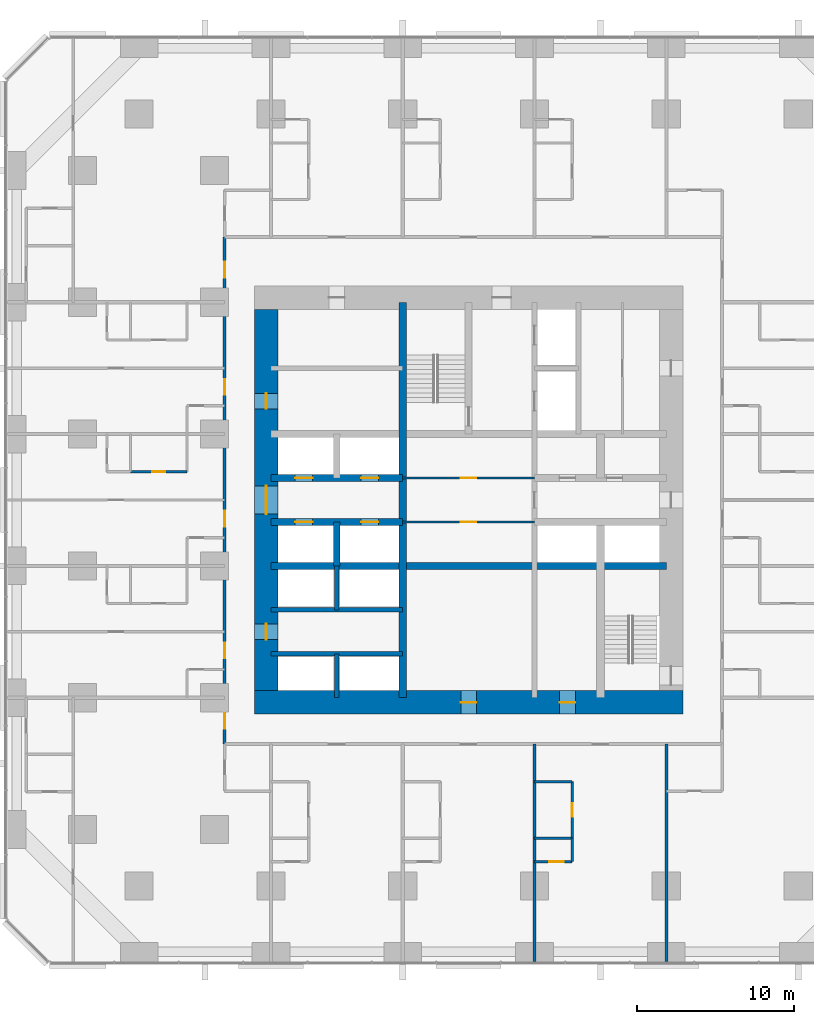
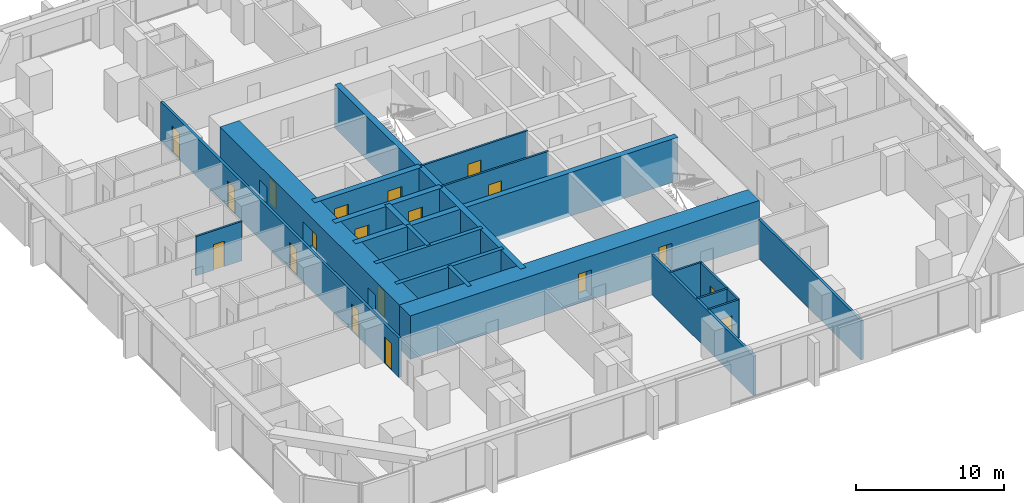
# One storey, part 12 of 17: 22 walls, 19 doors, 19 openings.
"""IFC4 building model written with IfcOpenShell, lengths in metres."""

from ifc_helpers import new_model, si_unit, direction, frame, frame_2d, origin, place, context, subcontext, project, spatial, rectangle, extrude, material, layer, layer_set, type_object, element, fill, save


model = new_model("IFC4")

# Units and contexts
model_context = context("Model", 3, precision=1e-05, world=origin(), true_north=direction((0.0, 1.0)))
body_context = subcontext(model_context, "Body", "Model", "MODEL_VIEW")
ifc_project = project(units=[si_unit("LENGTHUNIT", "METRE"), si_unit("AREAUNIT", "SQUARE_METRE"), si_unit("VOLUMEUNIT", "CUBIC_METRE"), si_unit("PLANEANGLEUNIT", "RADIAN"), si_unit("MASSUNIT", "GRAM", prefix="KILO")], contexts=[model_context])

# Site, building, storey
site_placement = place(None, origin())
site = spatial("IfcSite", under=ifc_project, at=site_placement, CompositionType="ELEMENT")
building_placement = place(site_placement, origin())
building = spatial("IfcBuilding", under=site, at=building_placement, Name="Dunama Terrace Hotel", CompositionType="ELEMENT")
storey_placement = place(building_placement, frame((0.0, 0.0, 55.800048828125)))
storey = spatial("IfcBuildingStorey", under=building, at=storey_placement, Name="L13", CompositionType="ELEMENT", Elevation=55.800048828125)

# Wall, opening, door
ifc_material_1 = material(Name="Gypsum board partition", Category="masonry")
ifc_layer_1 = layer(ifc_material_1, 0.14990234375)
ifc_layer_set_1 = layer_set([ifc_layer_1], Name="Bathroom partition 150")
wall_type_1 = type_object("IfcWallType", Name="Bathroom partition 150", PredefinedType="PARTITIONING", material=ifc_layer_set_1)
wall_1_placement = place(storey_placement, frame((36.0, 7.85009765625, 0.0), z_axis=(0.0, 0.0, 1.0), x_axis=(0.0, 1.0, 0.0)))
wall_1 = element("IfcWall", 1, at=wall_1_placement, inside=storey, type_object=wall_type_1, Name="Bathroom partition 150 L13", PredefinedType="PARTITIONING", context=body_context, shape_type="SweptSolid", body=[
    extrude(rectangle(XDim=3.599853515625, YDim=0.14990234375, at=frame_2d((1.7998046875, 0.0))), origin(), (0.0, 0.0, 1.0), 3.25),
])
opening_1_placement = place(wall_1_placement, frame((1.375, 0.0, 0.0)))
opening_1 = element("IfcOpeningElement", 2, at=opening_1_placement, cuts=wall_1, Name="Opening L13-14-016", PredefinedType="OPENING", context=body_context, shape_type="SweptSolid", body=[
    extrude(rectangle(XDim=0.85009765625, YDim=2.10009765625, at=frame_2d((0.425048828125, 1.050048828125))), frame((0.0, 0.0849609375, 0.0), z_axis=(0.0, -1.0, 0.0), x_axis=(1.0, 0.0, 0.0)), (0.0, 0.0, 1.0), 0.169921875),
])
ifc_material_2 = material(Name="Timber door with steel frame", Category="steel")
door_type_1 = type_object("IfcDoorType", Name="Bathroom door 850", OperationType="SINGLE_SWING_LEFT", PredefinedType="DOOR", material=ifc_material_2)
door_1_placement = place(opening_1_placement, origin())
door_1 = element("IfcDoor", 3, at=door_1_placement, inside=storey, type_object=door_type_1, Name="Door to en-suite bathroom L13-14-016, type D2", OperationType="SINGLE_SWING_LEFT", OverallHeight=2.10009765625, OverallWidth=0.85009765625, PredefinedType="DOOR", context=body_context, shape_type="SweptSolid", body=[
    extrude(rectangle(XDim=0.85009765625, YDim=2.10009765625, at=frame_2d((0.425048828125, 1.050048828125))), frame((0.0, 0.02490234375, 0.0), z_axis=(0.0, -1.0, 0.0), x_axis=(1.0, 0.0, 0.0)), (0.0, 0.0, 1.0), 0.050048828125),
])
fill(opening_1, door_1)

# Wall
wall_2_placement = place(storey_placement, frame((33.60009765625, 11.449951171875, 0.0), z_axis=(0.0, 0.0, 1.0), x_axis=(1.0, 0.0, 0.0)))
element("IfcWall", 4, at=wall_2_placement, inside=storey, type_object=wall_type_1, Name="Bathroom partition 150 L13", PredefinedType="PARTITIONING", context=body_context, shape_type="SweptSolid", body=[
    extrude(rectangle(XDim=2.39990234375, YDim=0.14990234375, at=frame_2d((1.199951171875, 0.0))), origin(), (0.0, 0.0, 1.0), 3.25),
])

# Wall, opening, door
wall_3_placement = place(storey_placement, frame((7.85009765625, 31.199951171875, 0.0), z_axis=(0.0, 0.0, 1.0), x_axis=(1.0, 0.0, 0.0)))
wall_3 = element("IfcWall", 5, at=wall_3_placement, inside=storey, type_object=wall_type_1, Name="Bathroom partition 150 L13", PredefinedType="PARTITIONING", context=body_context, shape_type="SweptSolid", body=[
    extrude(rectangle(XDim=3.599853515625, YDim=0.14990234375, at=frame_2d((1.7998046875, 0.0))), origin(), (0.0, 0.0, 1.0), 3.25),
])
opening_2_placement = place(wall_3_placement, frame((1.375, 0.0, 0.0)))
opening_2 = element("IfcOpeningElement", 6, at=opening_2_placement, cuts=wall_3, Name="Opening L13-14-050", PredefinedType="OPENING", context=body_context, shape_type="SweptSolid", body=[
    extrude(rectangle(XDim=0.85009765625, YDim=2.10009765625, at=frame_2d((0.425048828125, 1.050048828125))), frame((0.0, 0.0849609375, 0.0), z_axis=(0.0, -1.0, 0.0), x_axis=(1.0, 0.0, 0.0)), (0.0, 0.0, 1.0), 0.169921875),
])
door_2_placement = place(opening_2_placement, origin())
door_2 = element("IfcDoor", 7, at=door_2_placement, inside=storey, type_object=door_type_1, Name="Door to en-suite bathroom L13-14-050, type D2", OperationType="SINGLE_SWING_LEFT", OverallHeight=2.10009765625, OverallWidth=0.85009765625, PredefinedType="DOOR", context=body_context, shape_type="SweptSolid", body=[
    extrude(rectangle(XDim=0.85009765625, YDim=2.10009765625, at=frame_2d((0.425048828125, 1.050048828125))), frame((0.0, 0.02490234375, 0.0), z_axis=(0.0, -1.0, 0.0), x_axis=(1.0, 0.0, 0.0)), (0.0, 0.0, 1.0), 0.050048828125),
])
fill(opening_2, door_2)

# Walls
ifc_material_3 = material(Name="Concrete C50/60", Category="concrete")
ifc_layer_2 = layer(ifc_material_3, 0.300048828125)
ifc_layer_set_2 = layer_set([ifc_layer_2], Name="Core inner wall 300")
wall_type_2 = type_object("IfcWallType", Name="Core inner wall 300", PredefinedType="SHEAR", material=ifc_layer_set_2)
for number, where, z_axis, x_axis, name in (
    (8, (21.0, 16.800048828125, -0.35009765625), (0.0, 0.0, 1.0), (0.0, 1.0, 0.0), "Core inner wall 300 L13"),
    (9, (21.0, 22.39990234375, -0.35009765625), (0.0, 0.0, 1.0), (0.0, 1.0, 0.0), "Core inner wall 300 L13"),
):
    element("IfcWall", number, at=place(storey_placement, frame(where, z_axis=z_axis, x_axis=x_axis)), inside=storey, type_object=wall_type_2, Name=name, PredefinedType="SHEAR", context=body_context, shape_type="SweptSolid", body=[
        extrude(rectangle(XDim=2.800048828125, YDim=0.300048828125, at=frame_2d((1.39990234375, 0.0))), origin(), (0.0, 0.0, 1.0), 3.60009765625),
    ])
for number, where, z_axis, x_axis, name in (
    (10, (16.800048828125, 19.60009765625, -0.35009765625), (0.0, 0.0, 1.0), (1.0, 0.0, 0.0), "Core inner wall 300 L13"),
    (11, (16.800048828125, 22.39990234375, -0.35009765625), (0.0, 0.0, 1.0), (1.0, 0.0, 0.0), "Core inner wall 300 L13"),
):
    element("IfcWall", number, at=place(storey_placement, frame(where, z_axis=z_axis, x_axis=x_axis)), inside=storey, type_object=wall_type_2, Name=name, PredefinedType="SHEAR", context=body_context, shape_type="SweptSolid", body=[
        extrude(rectangle(XDim=8.39990234375, YDim=0.300048828125, at=frame_2d((4.199951171875, 0.0))), origin(), (0.0, 0.0, 1.0), 3.60009765625),
    ])
ifc_material_4 = material(Name="Concrete C50/60", Category="concrete")
ifc_layer_3 = layer(ifc_material_4, 0.39990234375)
ifc_layer_set_3 = layer_set([ifc_layer_3], Name="Core inner wall 400")
wall_type_3 = type_object("IfcWallType", Name="Core inner wall 400", PredefinedType="SHEAR", material=ifc_layer_set_3)
wall_4_placement = place(storey_placement, frame((21.0, 25.199951171875, -0.35009765625), z_axis=(0.0, 0.0, 1.0), x_axis=(0.0, 1.0, 0.0)))
element("IfcWall", 12, at=wall_4_placement, inside=storey, type_object=wall_type_3, Name="Core inner wall 400 L13", PredefinedType="SHEAR", context=body_context, shape_type="SweptSolid", body=[
    extrude(rectangle(XDim=2.800048828125, YDim=0.39990234375, at=frame_2d((1.39990234375, 0.0))), origin(), (0.0, 0.0, 1.0), 3.60009765625),
])
ifc_material_5 = material(Name="Concrete C50/60", Category="concrete")
ifc_layer_4 = layer(ifc_material_5, 0.449951171875)
ifc_layer_set_4 = layer_set([ifc_layer_4], Name="Core inner wall 450")
wall_type_4 = type_object("IfcWallType", Name="Core inner wall 450", PredefinedType="SHEAR", material=ifc_layer_set_4)
for number, where, z_axis, x_axis, name in (
    (13, (25.199951171875, 16.800048828125, -0.35009765625), (0.0, 0.0, 1.0), (0.0, 1.0, 0.0), "Core inner wall 450 L13"),
    (14, (16.800048828125, 25.199951171875, -0.35009765625), (0.0, 0.0, 1.0), (1.0, 0.0, 0.0), "Core inner wall 450 L13"),
):
    element("IfcWall", number, at=place(storey_placement, frame(where, z_axis=z_axis, x_axis=x_axis)), inside=storey, type_object=wall_type_4, Name=name, PredefinedType="SHEAR", context=body_context, shape_type="SweptSolid", body=[
        extrude(rectangle(XDim=25.199951171875, YDim=0.449951171875, at=frame_2d((12.60009765625, 0.0))), origin(), (0.0, 0.0, 1.0), 3.60009765625),
    ])

# Wall, openings, doors
wall_5_placement = place(storey_placement, frame((16.800048828125, 28.0, -0.35009765625), z_axis=(0.0, 0.0, 1.0), x_axis=(1.0, 0.0, 0.0)))
wall_5 = element("IfcWall", 15, at=wall_5_placement, inside=storey, type_object=wall_type_4, Name="Core inner wall 450 L13", PredefinedType="SHEAR", context=body_context, shape_type="SweptSolid", body=[
    extrude(rectangle(XDim=8.39990234375, YDim=0.449951171875, at=frame_2d((4.199951171875, 0.0))), origin(), (0.0, 0.0, 1.0), 3.60009765625),
])
opening_3_placement = place(wall_5_placement, frame((1.550048828125, 0.0, 0.35009765625)))
opening_3 = element("IfcOpeningElement", 16, at=opening_3_placement, cuts=wall_5, Name="Opening L13-14-003", PredefinedType="OPENING", context=body_context, shape_type="SweptSolid", body=[
    extrude(rectangle(XDim=1.10009765625, YDim=2.199951171875, at=frame_2d((0.550048828125, 1.10009765625))), frame((0.0, 0.23486328125, 0.0), z_axis=(0.0, -1.0, 0.0), x_axis=(1.0, 0.0, 0.0)), (0.0, 0.0, 1.0), 0.469970703125),
])
opening_4_placement = place(wall_5_placement, frame((5.75, 0.0, 0.35009765625)))
opening_4 = element("IfcOpeningElement", 17, at=opening_4_placement, cuts=wall_5, Name="Opening L13-14-004", PredefinedType="OPENING", context=body_context, shape_type="SweptSolid", body=[
    extrude(rectangle(XDim=1.10009765625, YDim=2.199951171875, at=frame_2d((0.550048828125, 1.10009765625))), frame((0.0, 0.23486328125, 0.0), z_axis=(0.0, -1.0, 0.0), x_axis=(1.0, 0.0, 0.0)), (0.0, 0.0, 1.0), 0.469970703125),
])
ifc_material_6 = material(Name="Stainless steel lift door", Category="steel")
door_type_2 = type_object("IfcDoorType", Name="Lift landing door 1100", OperationType="DOUBLE_DOOR_SLIDING", PredefinedType="DOOR", material=ifc_material_6)
door_3_placement = place(opening_3_placement, origin())
door_3 = element("IfcDoor", 18, at=door_3_placement, inside=storey, type_object=door_type_2, Name="Landing door PA1 L13-14-003, type LD1", OperationType="DOUBLE_DOOR_SLIDING", OverallHeight=2.199951171875, OverallWidth=1.10009765625, PredefinedType="DOOR", context=body_context, shape_type="SweptSolid", body=[
    extrude(rectangle(XDim=1.10009765625, YDim=2.199951171875, at=frame_2d((0.550048828125, 1.10009765625))), frame((0.0, 0.02490234375, 0.0), z_axis=(0.0, -1.0, 0.0), x_axis=(1.0, 0.0, 0.0)), (0.0, 0.0, 1.0), 0.050048828125),
])
fill(opening_3, door_3)
door_4_placement = place(opening_4_placement, origin())
door_4 = element("IfcDoor", 19, at=door_4_placement, inside=storey, type_object=door_type_2, Name="Landing door PA2 L13-14-004, type LD1", OperationType="DOUBLE_DOOR_SLIDING", OverallHeight=2.199951171875, OverallWidth=1.10009765625, PredefinedType="DOOR", context=body_context, shape_type="SweptSolid", body=[
    extrude(rectangle(XDim=1.10009765625, YDim=2.199951171875, at=frame_2d((0.550048828125, 1.10009765625))), frame((0.0, 0.02490234375, 0.0), z_axis=(0.0, -1.0, 0.0), x_axis=(1.0, 0.0, 0.0)), (0.0, 0.0, 1.0), 0.050048828125),
])
fill(opening_4, door_4)

wall_6_placement = place(storey_placement, frame((16.800048828125, 30.800048828125, -0.35009765625), z_axis=(0.0, 0.0, 1.0), x_axis=(1.0, 0.0, 0.0)))
wall_6 = element("IfcWall", 20, at=wall_6_placement, inside=storey, type_object=wall_type_4, Name="Core inner wall 450 L13", PredefinedType="SHEAR", context=body_context, shape_type="SweptSolid", body=[
    extrude(rectangle(XDim=8.39990234375, YDim=0.449951171875, at=frame_2d((4.199951171875, 0.0))), origin(), (0.0, 0.0, 1.0), 3.60009765625),
])
opening_5_placement = place(wall_6_placement, frame((1.550048828125, 0.0, 0.35009765625)))
opening_5 = element("IfcOpeningElement", 21, at=opening_5_placement, cuts=wall_6, Name="Opening L13-14-005", PredefinedType="OPENING", context=body_context, shape_type="SweptSolid", body=[
    extrude(rectangle(XDim=1.10009765625, YDim=2.199951171875, at=frame_2d((0.550048828125, 1.10009765625))), frame((0.0, 0.23486328125, 0.0), z_axis=(0.0, -1.0, 0.0), x_axis=(1.0, 0.0, 0.0)), (0.0, 0.0, 1.0), 0.469970703125),
])
opening_6_placement = place(wall_6_placement, frame((5.75, 0.0, 0.35009765625)))
opening_6 = element("IfcOpeningElement", 22, at=opening_6_placement, cuts=wall_6, Name="Opening L13-14-006", PredefinedType="OPENING", context=body_context, shape_type="SweptSolid", body=[
    extrude(rectangle(XDim=1.10009765625, YDim=2.199951171875, at=frame_2d((0.550048828125, 1.10009765625))), frame((0.0, 0.23486328125, 0.0), z_axis=(0.0, -1.0, 0.0), x_axis=(1.0, 0.0, 0.0)), (0.0, 0.0, 1.0), 0.469970703125),
])
door_5_placement = place(opening_5_placement, origin())
door_5 = element("IfcDoor", 23, at=door_5_placement, inside=storey, type_object=door_type_2, Name="Landing door PA3 L13-14-005, type LD1", OperationType="DOUBLE_DOOR_SLIDING", OverallHeight=2.199951171875, OverallWidth=1.10009765625, PredefinedType="DOOR", context=body_context, shape_type="SweptSolid", body=[
    extrude(rectangle(XDim=1.10009765625, YDim=2.199951171875, at=frame_2d((0.550048828125, 1.10009765625))), frame((0.0, 0.02490234375, 0.0), z_axis=(0.0, -1.0, 0.0), x_axis=(1.0, 0.0, 0.0)), (0.0, 0.0, 1.0), 0.050048828125),
])
fill(opening_5, door_5)
door_6_placement = place(opening_6_placement, origin())
door_6 = element("IfcDoor", 24, at=door_6_placement, inside=storey, type_object=door_type_2, Name="Landing door PA4 L13-14-006, type LD1", OperationType="DOUBLE_DOOR_SLIDING", OverallHeight=2.199951171875, OverallWidth=1.10009765625, PredefinedType="DOOR", context=body_context, shape_type="SweptSolid", body=[
    extrude(rectangle(XDim=1.10009765625, YDim=2.199951171875, at=frame_2d((0.550048828125, 1.10009765625))), frame((0.0, 0.02490234375, 0.0), z_axis=(0.0, -1.0, 0.0), x_axis=(1.0, 0.0, 0.0)), (0.0, 0.0, 1.0), 0.050048828125),
])
fill(opening_6, door_6)

ifc_material_7 = material(Name="Concrete C60/75", Category="concrete")
ifc_layer_5 = layer(ifc_material_7, 1.5)
ifc_layer_set_5 = layer_set([ifc_layer_5], Name="Core wall 1500")
wall_type_5 = type_object("IfcWallType", Name="Core wall 1500", PredefinedType="SHEAR", material=ifc_layer_set_5)
wall_7_placement = place(storey_placement, frame((15.75, 16.5, -0.35009765625), z_axis=(0.0, 0.0, 1.0), x_axis=(1.0, 0.0, 0.0)))
wall_7 = element("IfcWall", 25, at=wall_7_placement, inside=storey, type_object=wall_type_5, Name="Core wall south L13", PredefinedType="SHEAR", context=body_context, shape_type="SweptSolid", body=[
    extrude(rectangle(XDim=27.300048828125, YDim=1.5, at=frame_2d((13.64990234375, 0.0))), origin(), (0.0, 0.0, 1.0), 3.60009765625),
])
opening_7_placement = place(wall_7_placement, frame((13.14990234375, 0.0, 0.35009765625)))
opening_7 = element("IfcOpeningElement", 26, at=opening_7_placement, cuts=wall_7, Name="Opening L13-14-090", PredefinedType="OPENING", context=body_context, shape_type="SweptSolid", body=[
    extrude(rectangle(XDim=1.0, YDim=2.10009765625, at=frame_2d((0.5, 1.050048828125))), frame((0.0, 0.760009765625, 0.0), z_axis=(0.0, -1.0, 0.0), x_axis=(1.0, 0.0, 0.0)), (0.0, 0.0, 1.0), 1.52001953125),
])
opening_8_placement = place(wall_7_placement, frame((19.449951171875, 0.0, 0.35009765625)))
opening_8 = element("IfcOpeningElement", 27, at=opening_8_placement, cuts=wall_7, Name="Opening L13-14-091", PredefinedType="OPENING", context=body_context, shape_type="SweptSolid", body=[
    extrude(rectangle(XDim=1.0, YDim=2.10009765625, at=frame_2d((0.5, 1.050048828125))), frame((0.0, 0.760009765625, 0.0), z_axis=(0.0, -1.0, 0.0), x_axis=(1.0, 0.0, 0.0)), (0.0, 0.0, 1.0), 1.52001953125),
])
ifc_material_8 = material(Name="Timber door with steel frame", Category="steel")
door_type_3 = type_object("IfcDoorType", Name="Service door 1000", OperationType="SINGLE_SWING_LEFT", PredefinedType="DOOR", material=ifc_material_8)
door_7_placement = place(opening_7_placement, origin())
door_7 = element("IfcDoor", 28, at=door_7_placement, inside=storey, type_object=door_type_3, Name="Door to corridor air handling room L13-14-090, type D7", OperationType="SINGLE_SWING_LEFT", OverallHeight=2.10009765625, OverallWidth=1.0, PredefinedType="DOOR", context=body_context, shape_type="SweptSolid", body=[
    extrude(rectangle(XDim=1.0, YDim=2.10009765625, at=frame_2d((0.5, 1.050048828125))), frame((0.0, 0.02490234375, 0.0), z_axis=(0.0, -1.0, 0.0), x_axis=(1.0, 0.0, 0.0)), (0.0, 0.0, 1.0), 0.050048828125),
])
fill(opening_7, door_7)
door_8_placement = place(opening_8_placement, origin())
door_8 = element("IfcDoor", 29, at=door_8_placement, inside=storey, type_object=door_type_3, Name="Door to water riser room L13-14-091, type D7", OperationType="SINGLE_SWING_RIGHT", OverallHeight=2.10009765625, OverallWidth=1.0, PredefinedType="DOOR", context=body_context, shape_type="SweptSolid", body=[
    extrude(rectangle(XDim=1.0, YDim=2.10009765625, at=frame_2d((0.5, 1.050048828125))), frame((0.0, 0.02490234375, 0.0), z_axis=(0.0, -1.0, 0.0), x_axis=(1.0, 0.0, 0.0)), (0.0, 0.0, 1.0), 0.050048828125),
])
fill(opening_8, door_8)

wall_8_placement = place(storey_placement, frame((16.5, 41.550048828125, -0.35009765625), z_axis=(0.0, 0.0, 1.0), x_axis=(0.0, -1.0, 0.0)))
wall_8 = element("IfcWall", 30, at=wall_8_placement, inside=storey, type_object=wall_type_5, Name="Core wall west L13", PredefinedType="SHEAR", context=body_context, shape_type="SweptSolid", body=[
    extrude(rectangle(XDim=24.300048828125, YDim=1.5, at=frame_2d((12.14990234375, 0.0))), origin(), (0.0, 0.0, 1.0), 3.60009765625),
])
opening_9_placement = place(wall_8_placement, frame((11.25, 0.0, 0.35009765625)))
opening_9 = element("IfcOpeningElement", 31, at=opening_9_placement, cuts=wall_8, Name="Opening L13-14-077", PredefinedType="OPENING", context=body_context, shape_type="SweptSolid", body=[
    extrude(rectangle(XDim=1.800048828125, YDim=2.199951171875, at=frame_2d((0.89990234375, 1.10009765625))), frame((0.0, 0.760009765625, 0.0), z_axis=(0.0, -1.0, 0.0), x_axis=(1.0, 0.0, 0.0)), (0.0, 0.0, 1.0), 1.52001953125),
])
opening_10_placement = place(wall_8_placement, frame((20.050048828125, 0.0, 0.35009765625)))
opening_10 = element("IfcOpeningElement", 32, at=opening_10_placement, cuts=wall_8, Name="Opening L13-14-078", PredefinedType="OPENING", context=body_context, shape_type="SweptSolid", body=[
    extrude(rectangle(XDim=1.0, YDim=2.10009765625, at=frame_2d((0.5, 1.050048828125))), frame((0.0, 0.760009765625, 0.0), z_axis=(0.0, -1.0, 0.0), x_axis=(1.0, 0.0, 0.0)), (0.0, 0.0, 1.0), 1.52001953125),
])
opening_11_placement = place(wall_8_placement, frame((5.35009765625, 0.0, 0.35009765625)))
opening_11 = element("IfcOpeningElement", 33, at=opening_11_placement, cuts=wall_8, Name="Opening L13-14-079", PredefinedType="OPENING", context=body_context, shape_type="SweptSolid", body=[
    extrude(rectangle(XDim=1.0, YDim=2.10009765625, at=frame_2d((0.5, 1.050048828125))), frame((0.0, 0.760009765625, 0.0), z_axis=(0.0, -1.0, 0.0), x_axis=(1.0, 0.0, 0.0)), (0.0, 0.0, 1.0), 1.52001953125),
])
ifc_material_9 = material(Name="Timber door with steel frame", Category="steel")
door_type_4 = type_object("IfcDoorType", Name="Lift lobby double door 1800", OperationType="DOUBLE_DOOR_DOUBLE_SWING", PredefinedType="DOOR", material=ifc_material_9)
door_9_placement = place(opening_9_placement, origin())
door_9 = element("IfcDoor", 34, at=door_9_placement, inside=storey, type_object=door_type_4, Name="Door to lift lobby L13-14-077, type D3", OperationType="DOUBLE_DOOR_DOUBLE_SWING", OverallHeight=2.199951171875, OverallWidth=1.800048828125, PredefinedType="DOOR", context=body_context, shape_type="SweptSolid", body=[
    extrude(rectangle(XDim=1.800048828125, YDim=2.199951171875, at=frame_2d((0.89990234375, 1.10009765625))), frame((0.0, 0.02490234375, 0.0), z_axis=(0.0, -1.0, 0.0), x_axis=(1.0, 0.0, 0.0)), (0.0, 0.0, 1.0), 0.050048828125),
])
fill(opening_9, door_9)
door_10_placement = place(opening_10_placement, origin())
door_10 = element("IfcDoor", 35, at=door_10_placement, inside=storey, type_object=door_type_3, Name="Door to service lobby L13-14-078, type D7", OperationType="SINGLE_SWING_RIGHT", OverallHeight=2.10009765625, OverallWidth=1.0, PredefinedType="DOOR", context=body_context, shape_type="SweptSolid", body=[
    extrude(rectangle(XDim=1.0, YDim=2.10009765625, at=frame_2d((0.5, 1.050048828125))), frame((0.0, 0.02490234375, 0.0), z_axis=(0.0, -1.0, 0.0), x_axis=(1.0, 0.0, 0.0)), (0.0, 0.0, 1.0), 0.050048828125),
])
fill(opening_10, door_10)
door_11_placement = place(opening_11_placement, origin())
door_11 = element("IfcDoor", 36, at=door_11_placement, inside=storey, type_object=door_type_3, Name="Door to electrical room L13-14-079, type D7", OperationType="SINGLE_SWING_RIGHT", OverallHeight=2.10009765625, OverallWidth=1.0, PredefinedType="DOOR", context=body_context, shape_type="SweptSolid", body=[
    extrude(rectangle(XDim=1.0, YDim=2.10009765625, at=frame_2d((0.5, 1.050048828125))), frame((0.0, 0.02490234375, 0.0), z_axis=(0.0, -1.0, 0.0), x_axis=(1.0, 0.0, 0.0)), (0.0, 0.0, 1.0), 0.050048828125),
])
fill(opening_11, door_11)

ifc_material_10 = material(Name="Concrete blockwork", Category="masonry")
ifc_layer_6 = layer(ifc_material_10, 0.199951171875)
ifc_layer_set_6 = layer_set([ifc_layer_6], Name="Corridor partition 200")
wall_type_6 = type_object("IfcWallType", Name="Corridor partition 200", PredefinedType="PARTITIONING", material=ifc_layer_set_6)
wall_9_placement = place(storey_placement, frame((13.85009765625, 13.85009765625, 0.0), z_axis=(0.0, 0.0, 1.0), x_axis=(0.0, 1.0, 0.0)))
wall_9 = element("IfcWall", 37, at=wall_9_placement, inside=storey, type_object=wall_type_6, Name="Corridor partition 200 L13", PredefinedType="PARTITIONING", context=body_context, shape_type="SweptSolid", body=[
    extrude(rectangle(XDim=32.2998046875, YDim=0.199951171875, at=frame_2d((16.14990234375, 0.0))), origin(), (0.0, 0.0, 1.0), 3.25),
])
opening_12_placement = place(wall_9_placement, frame((5.449951171875, 0.0, 0.0)))
opening_12 = element("IfcOpeningElement", 38, at=opening_12_placement, cuts=wall_9, Name="Opening L13-14-042", PredefinedType="OPENING", context=body_context, shape_type="SweptSolid", body=[
    extrude(rectangle(XDim=1.0, YDim=2.199951171875, at=frame_2d((0.5, 1.10009765625))), frame((0.0, 0.10986328125, 0.0), z_axis=(0.0, -1.0, 0.0), x_axis=(1.0, 0.0, 0.0)), (0.0, 0.0, 1.0), 0.219970703125),
])
opening_13_placement = place(wall_9_placement, frame((13.85009765625, 0.0, 0.0)))
opening_13 = element("IfcOpeningElement", 39, at=opening_13_placement, cuts=wall_9, Name="Opening L13-14-047", PredefinedType="OPENING", context=body_context, shape_type="SweptSolid", body=[
    extrude(rectangle(XDim=1.0, YDim=2.199951171875, at=frame_2d((0.5, 1.10009765625))), frame((0.0, 0.10986328125, 0.0), z_axis=(0.0, -1.0, 0.0), x_axis=(1.0, 0.0, 0.0)), (0.0, 0.0, 1.0), 0.219970703125),
])
opening_14_placement = place(wall_9_placement, frame((22.25, 0.0, 0.0)))
opening_14 = element("IfcOpeningElement", 40, at=opening_14_placement, cuts=wall_9, Name="Opening L13-14-052", PredefinedType="OPENING", context=body_context, shape_type="SweptSolid", body=[
    extrude(rectangle(XDim=1.0, YDim=2.199951171875, at=frame_2d((0.5, 1.10009765625))), frame((0.0, 0.10986328125, 0.0), z_axis=(0.0, -1.0, 0.0), x_axis=(1.0, 0.0, 0.0)), (0.0, 0.0, 1.0), 0.219970703125),
])
opening_15_placement = place(wall_9_placement, frame((0.97509765625, 0.0, 0.0)))
opening_15 = element("IfcOpeningElement", 41, at=opening_15_placement, cuts=wall_9, Name="Opening L13-14-057", PredefinedType="OPENING", context=body_context, shape_type="SweptSolid", body=[
    extrude(rectangle(XDim=1.0, YDim=2.199951171875, at=frame_2d((0.5, 1.10009765625))), frame((0.0, 0.10986328125, 0.0), z_axis=(0.0, -1.0, 0.0), x_axis=(1.0, 0.0, 0.0)), (0.0, 0.0, 1.0), 0.219970703125),
])
opening_16_placement = place(wall_9_placement, frame((29.72509765625, 0.0, 0.0)))
opening_16 = element("IfcOpeningElement", 42, at=opening_16_placement, cuts=wall_9, Name="Opening L13-14-072", PredefinedType="OPENING", context=body_context, shape_type="SweptSolid", body=[
    extrude(rectangle(XDim=1.0, YDim=2.199951171875, at=frame_2d((0.5, 1.10009765625))), frame((0.0, 0.10986328125, 0.0), z_axis=(0.0, -1.0, 0.0), x_axis=(1.0, 0.0, 0.0)), (0.0, 0.0, 1.0), 0.219970703125),
])
ifc_material_11 = material(Name="Timber door with steel frame", Category="steel")
door_type_5 = type_object("IfcDoorType", Name="Guest room door 1000", OperationType="SINGLE_SWING_LEFT", PredefinedType="DOOR", material=ifc_material_11)
door_12_placement = place(opening_12_placement, origin())
door_12 = element("IfcDoor", 43, at=door_12_placement, inside=storey, type_object=door_type_5, Name="Door to executive suite living room L13-14-042, type D1", OperationType="SINGLE_SWING_LEFT", OverallHeight=2.199951171875, OverallWidth=1.0, PredefinedType="DOOR", context=body_context, shape_type="SweptSolid", body=[
    extrude(rectangle(XDim=1.0, YDim=2.199951171875, at=frame_2d((0.5, 1.10009765625))), frame((0.0, 0.02490234375, 0.0), z_axis=(0.0, -1.0, 0.0), x_axis=(1.0, 0.0, 0.0)), (0.0, 0.0, 1.0), 0.050048828125),
])
fill(opening_12, door_12)
door_13_placement = place(opening_13_placement, origin())
door_13 = element("IfcDoor", 44, at=door_13_placement, inside=storey, type_object=door_type_5, Name="Door to executive suite living room L13-14-047, type D1", OperationType="SINGLE_SWING_LEFT", OverallHeight=2.199951171875, OverallWidth=1.0, PredefinedType="DOOR", context=body_context, shape_type="SweptSolid", body=[
    extrude(rectangle(XDim=1.0, YDim=2.199951171875, at=frame_2d((0.5, 1.10009765625))), frame((0.0, 0.02490234375, 0.0), z_axis=(0.0, -1.0, 0.0), x_axis=(1.0, 0.0, 0.0)), (0.0, 0.0, 1.0), 0.050048828125),
])
fill(opening_13, door_13)
door_14_placement = place(opening_14_placement, origin())
door_14 = element("IfcDoor", 45, at=door_14_placement, inside=storey, type_object=door_type_5, Name="Door to executive suite living room L13-14-052, type D1", OperationType="SINGLE_SWING_RIGHT", OverallHeight=2.199951171875, OverallWidth=1.0, PredefinedType="DOOR", context=body_context, shape_type="SweptSolid", body=[
    extrude(rectangle(XDim=1.0, YDim=2.199951171875, at=frame_2d((0.5, 1.10009765625))), frame((0.0, 0.02490234375, 0.0), z_axis=(0.0, -1.0, 0.0), x_axis=(1.0, 0.0, 0.0)), (0.0, 0.0, 1.0), 0.050048828125),
])
fill(opening_14, door_14)
door_15_placement = place(opening_15_placement, origin())
door_15 = element("IfcDoor", 46, at=door_15_placement, inside=storey, type_object=door_type_5, Name="Door to corner suite living room L13-14-057, type D1", OperationType="SINGLE_SWING_RIGHT", OverallHeight=2.199951171875, OverallWidth=1.0, PredefinedType="DOOR", context=body_context, shape_type="SweptSolid", body=[
    extrude(rectangle(XDim=1.0, YDim=2.199951171875, at=frame_2d((0.5, 1.10009765625))), frame((0.0, 0.02490234375, 0.0), z_axis=(0.0, -1.0, 0.0), x_axis=(1.0, 0.0, 0.0)), (0.0, 0.0, 1.0), 0.050048828125),
])
fill(opening_15, door_15)
door_16_placement = place(opening_16_placement, origin())
door_16 = element("IfcDoor", 47, at=door_16_placement, inside=storey, type_object=door_type_5, Name="Door to corner suite living room L13-14-072, type D1", OperationType="SINGLE_SWING_LEFT", OverallHeight=2.199951171875, OverallWidth=1.0, PredefinedType="DOOR", context=body_context, shape_type="SweptSolid", body=[
    extrude(rectangle(XDim=1.0, YDim=2.199951171875, at=frame_2d((0.5, 1.10009765625))), frame((0.0, 0.02490234375, 0.0), z_axis=(0.0, -1.0, 0.0), x_axis=(1.0, 0.0, 0.0)), (0.0, 0.0, 1.0), 0.050048828125),
])
fill(opening_16, door_16)

# Walls
ifc_material_12 = material(Name="Concrete blockwork", Category="masonry")
ifc_layer_7 = layer(ifc_material_12, 0.199951171875)
ifc_layer_set_7 = layer_set([ifc_layer_7], Name="Party wall 200")
wall_type_7 = type_object("IfcWallType", Name="Party wall 200", PredefinedType="PARTITIONING", material=ifc_layer_set_7)
for number, where, z_axis, x_axis, name in (
    (48, (33.60009765625, -0.008056640625, 0.0), (0.0, 0.0, 1.0), (0.0, 1.0, 0.0), "Party wall 200 L13"),
    (49, (42.0, -0.008056640625, 0.0), (0.0, 0.0, 1.0), (0.0, 1.0, 0.0), "Party wall 200 L13"),
):
    element("IfcWall", number, at=place(storey_placement, frame(where, z_axis=z_axis, x_axis=x_axis)), inside=storey, type_object=wall_type_7, Name=name, PredefinedType="PARTITIONING", context=body_context, shape_type="SweptSolid", body=[
        extrude(rectangle(XDim=13.858154296875, YDim=0.199951171875, at=frame_2d((6.92919921875, 0.0))), origin(), (0.0, 0.0, 1.0), 3.25),
    ])
ifc_material_13 = material(Name="Gypsum board partition", Category="masonry")
ifc_layer_8 = layer(ifc_material_13, 0.14990234375)
ifc_layer_set_8 = layer_set([ifc_layer_8], Name="Room partition 150")
wall_type_8 = type_object("IfcWallType", Name="Room partition 150", PredefinedType="PARTITIONING", material=ifc_layer_set_8)
wall_10_placement = place(storey_placement, frame((36.0, 6.35009765625, 0.0), z_axis=(0.0, 0.0, 1.0), x_axis=(0.0, 1.0, 0.0)))
element("IfcWall", 50, at=wall_10_placement, inside=storey, type_object=wall_type_8, Name="Room partition 150 L13", PredefinedType="PARTITIONING", context=body_context, shape_type="SweptSolid", body=[
    extrude(rectangle(XDim=1.5, YDim=0.14990234375, at=frame_2d((0.75, 0.0))), origin(), (0.0, 0.0, 1.0), 3.25),
])

# Wall, opening, door
wall_11_placement = place(storey_placement, frame((33.60009765625, 6.35009765625, 0.0), z_axis=(0.0, 0.0, 1.0), x_axis=(1.0, 0.0, 0.0)))
wall_11 = element("IfcWall", 51, at=wall_11_placement, inside=storey, type_object=wall_type_8, Name="Room partition 150 L13", PredefinedType="PARTITIONING", context=body_context, shape_type="SweptSolid", body=[
    extrude(rectangle(XDim=2.39990234375, YDim=0.14990234375, at=frame_2d((1.199951171875, 0.0))), origin(), (0.0, 0.0, 1.0), 3.25),
])
opening_17_placement = place(wall_11_placement, frame((0.949951171875, 0.0, 0.0)))
opening_17 = element("IfcOpeningElement", 52, at=opening_17_placement, cuts=wall_11, Name="Opening L13-14-017", PredefinedType="OPENING", context=body_context, shape_type="SweptSolid", body=[
    extrude(rectangle(XDim=0.89990234375, YDim=2.10009765625, at=frame_2d((0.449951171875, 1.050048828125))), frame((0.0, 0.0849609375, 0.0), z_axis=(0.0, -1.0, 0.0), x_axis=(1.0, 0.0, 0.0)), (0.0, 0.0, 1.0), 0.169921875),
])
ifc_material_14 = material(Name="Timber door with steel frame", Category="steel")
door_type_6 = type_object("IfcDoorType", Name="Suite internal door 900", OperationType="SINGLE_SWING_LEFT", PredefinedType="DOOR", material=ifc_material_14)
door_17_placement = place(opening_17_placement, origin())
door_17 = element("IfcDoor", 53, at=door_17_placement, inside=storey, type_object=door_type_6, Name="Door to walk-in wardrobe L13-14-017, type D16", OperationType="SINGLE_SWING_RIGHT", OverallHeight=2.10009765625, OverallWidth=0.89990234375, PredefinedType="DOOR", context=body_context, shape_type="SweptSolid", body=[
    extrude(rectangle(XDim=0.89990234375, YDim=2.10009765625, at=frame_2d((0.449951171875, 1.050048828125))), frame((0.0, 0.02490234375, 0.0), z_axis=(0.0, -1.0, 0.0), x_axis=(1.0, 0.0, 0.0)), (0.0, 0.0, 1.0), 0.050048828125),
])
fill(opening_17, door_17)

# Wall
wall_12_placement = place(storey_placement, frame((33.60009765625, 7.85009765625, 0.0), z_axis=(0.0, 0.0, 1.0), x_axis=(1.0, 0.0, 0.0)))
element("IfcWall", 54, at=wall_12_placement, inside=storey, type_object=wall_type_8, Name="Room partition 150 L13", PredefinedType="PARTITIONING", context=body_context, shape_type="SweptSolid", body=[
    extrude(rectangle(XDim=2.39990234375, YDim=0.14990234375, at=frame_2d((1.199951171875, 0.0))), origin(), (0.0, 0.0, 1.0), 3.25),
])

# Wall, opening, door
wall_13_placement = place(storey_placement, frame((25.199951171875, 28.0, 0.0), z_axis=(0.0, 0.0, 1.0), x_axis=(1.0, 0.0, 0.0)))
wall_13 = element("IfcWall", 55, at=wall_13_placement, inside=storey, type_object=wall_type_8, Name="Room partition 150 L13", PredefinedType="PARTITIONING", context=body_context, shape_type="SweptSolid", body=[
    extrude(rectangle(XDim=8.400146484375, YDim=0.14990234375, at=frame_2d((4.2001953125, 0.0))), origin(), (0.0, 0.0, 1.0), 3.25),
])
opening_18_placement = place(wall_13_placement, frame((3.699951171875, 0.0, 0.0)))
opening_18 = element("IfcOpeningElement", 56, at=opening_18_placement, cuts=wall_13, Name="Opening L13-14-082", PredefinedType="OPENING", context=body_context, shape_type="SweptSolid", body=[
    extrude(rectangle(XDim=1.0, YDim=2.10009765625, at=frame_2d((0.5, 1.050048828125))), frame((0.0, 0.0849609375, 0.0), z_axis=(0.0, -1.0, 0.0), x_axis=(1.0, 0.0, 0.0)), (0.0, 0.0, 1.0), 0.169921875),
])
door_18_placement = place(opening_18_placement, frame((1.0, 0.0, 0.0), z_axis=(0.0, 0.0, 1.0), x_axis=(-1.0, 0.0, 0.0)))
door_18 = element("IfcDoor", 57, at=door_18_placement, inside=storey, type_object=door_type_3, Name="Door to linen and housekeeping room L13-14-082, type D7", OperationType="SINGLE_SWING_RIGHT", OverallHeight=2.10009765625, OverallWidth=1.0, PredefinedType="DOOR", context=body_context, shape_type="SweptSolid", body=[
    extrude(rectangle(XDim=1.0, YDim=2.10009765625, at=frame_2d((0.5, 1.050048828125))), frame((0.0, 0.025146484375, 0.0), z_axis=(0.0, -1.0, 0.0), x_axis=(1.0, 0.0, 0.0)), (0.0, 0.0, 1.0), 0.050048828125),
])
fill(opening_18, door_18)

wall_14_placement = place(storey_placement, frame((25.199951171875, 30.800048828125, 0.0), z_axis=(0.0, 0.0, 1.0), x_axis=(1.0, 0.0, 0.0)))
wall_14 = element("IfcWall", 58, at=wall_14_placement, inside=storey, type_object=wall_type_8, Name="Room partition 150 L13", PredefinedType="PARTITIONING", context=body_context, shape_type="SweptSolid", body=[
    extrude(rectangle(XDim=8.400146484375, YDim=0.14990234375, at=frame_2d((4.2001953125, 0.0))), origin(), (0.0, 0.0, 1.0), 3.25),
])
opening_19_placement = place(wall_14_placement, frame((3.699951171875, 0.0, 0.0)))
opening_19 = element("IfcOpeningElement", 59, at=opening_19_placement, cuts=wall_14, Name="Opening L13-14-083", PredefinedType="OPENING", context=body_context, shape_type="SweptSolid", body=[
    extrude(rectangle(XDim=1.0, YDim=2.10009765625, at=frame_2d((0.5, 1.050048828125))), frame((0.0, 0.0849609375, 0.0), z_axis=(0.0, -1.0, 0.0), x_axis=(1.0, 0.0, 0.0)), (0.0, 0.0, 1.0), 0.169921875),
])
door_19_placement = place(opening_19_placement, origin())
door_19 = element("IfcDoor", 60, at=door_19_placement, inside=storey, type_object=door_type_3, Name="Door to staff break room L13-14-083, type D7", OperationType="SINGLE_SWING_LEFT", OverallHeight=2.10009765625, OverallWidth=1.0, PredefinedType="DOOR", context=body_context, shape_type="SweptSolid", body=[
    extrude(rectangle(XDim=1.0, YDim=2.10009765625, at=frame_2d((0.5, 1.050048828125))), frame((0.0, 0.02490234375, 0.0), z_axis=(0.0, -1.0, 0.0), x_axis=(1.0, 0.0, 0.0)), (0.0, 0.0, 1.0), 0.050048828125),
])
fill(opening_19, door_19)

save(model, "model.ifc")
